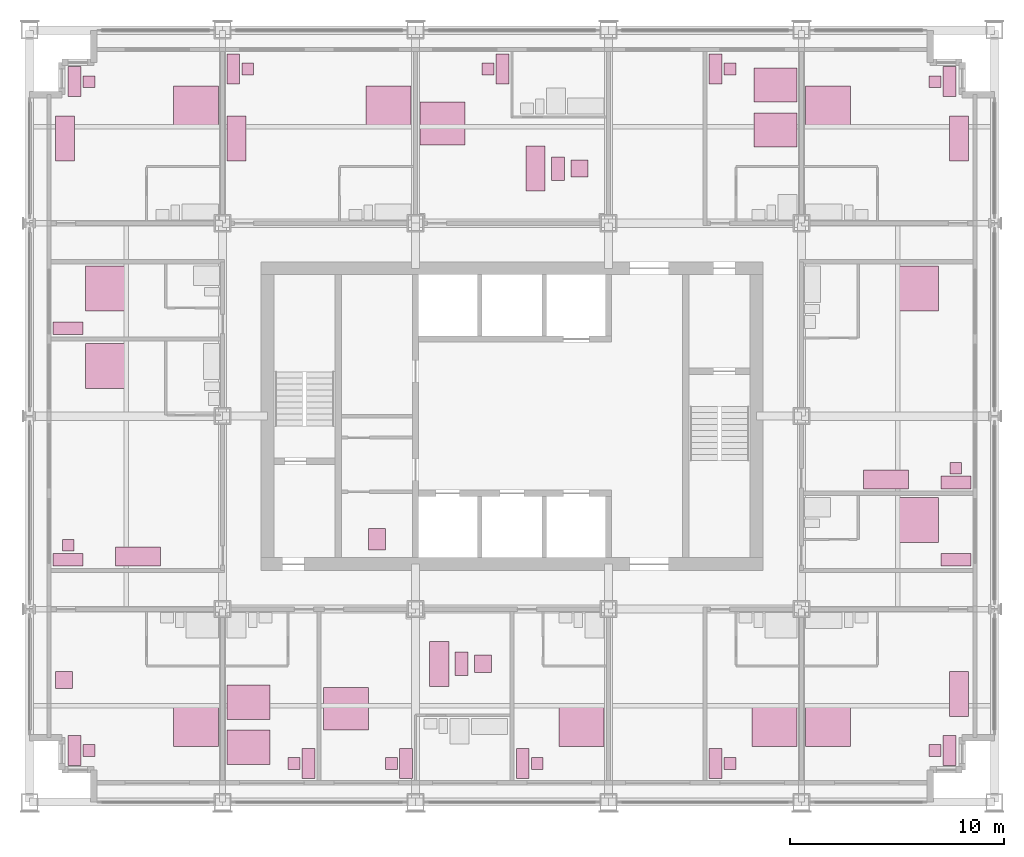
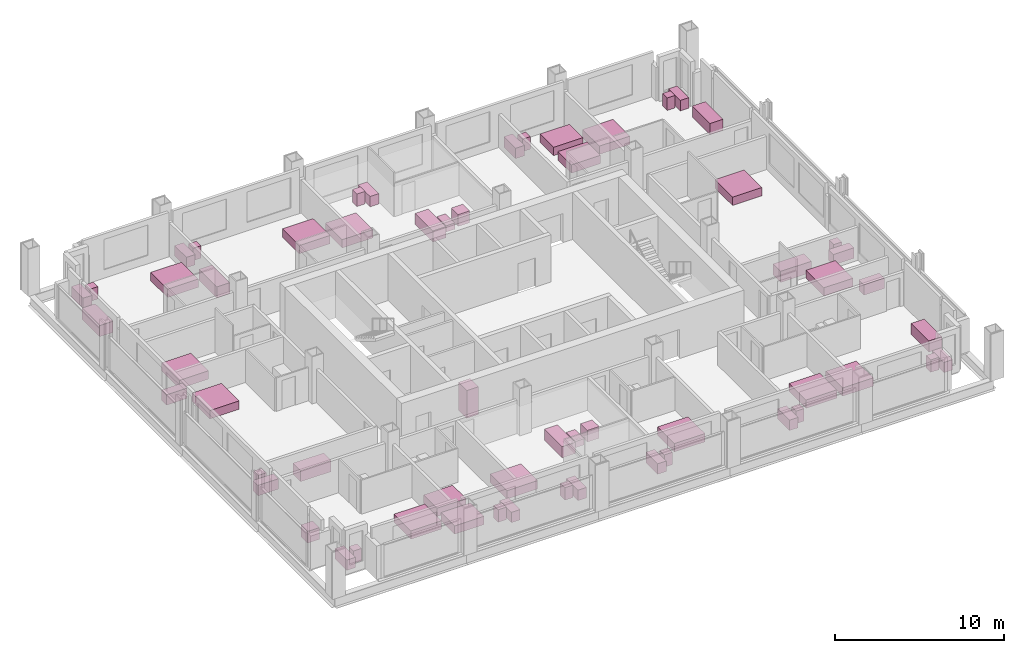
# One storey, part 16 of 16: 59 furniture elements.
"""IFC4 building model written with IfcOpenShell, lengths in metres."""

from ifc_helpers import new_model, si_unit, direction, frame, origin, origin_2d, place, context, subcontext, project, spatial, rectangle, extrude, element, save


model = new_model("IFC4")

# Units and contexts
model_context = context("Model", 3, precision=1e-05, world=origin(), true_north=direction((0.0, 1.0)))
body_context = subcontext(model_context, "Body", "Model", "MODEL_VIEW")
ifc_project = project(units=[si_unit("LENGTHUNIT", "METRE"), si_unit("AREAUNIT", "SQUARE_METRE"), si_unit("VOLUMEUNIT", "CUBIC_METRE"), si_unit("PLANEANGLEUNIT", "RADIAN"), si_unit("MASSUNIT", "GRAM", prefix="KILO")], contexts=[model_context])

# Site, building, storey
site_placement = place(None, origin())
site = spatial("IfcSite", under=ifc_project, at=site_placement, CompositionType="ELEMENT")
building_placement = place(site_placement, origin())
building = spatial("IfcBuilding", under=site, at=building_placement, Name="Loomwork Tower", CompositionType="ELEMENT")
storey_placement = place(building_placement, frame((0.0, 0.0, 124.800048828125)))
storey = spatial("IfcBuildingStorey", under=building, at=storey_placement, Name="L33", CompositionType="ELEMENT", Elevation=124.800048828125)

# Furniture
furniture_1_placement = place(storey_placement, frame((7.75, 3.60009765625, 0.0), z_axis=(0.0, 0.0, 1.0), x_axis=(1.0, 0.0, 0.0)))
element("IfcFurniture", 1, at=furniture_1_placement, inside=storey, Name="King bed L33", PredefinedType="BED", context=body_context, shape_type="SweptSolid", body=[
    extrude(rectangle(XDim=2.10009765625, YDim=2.0, at=origin_2d()), origin(), (0.0, 0.0, 1.0), 0.60009765625),
])
furniture_2_placement = place(storey_placement, frame((2.10009765625, 2.39990234375, 0.0), z_axis=(0.0, 0.0, 1.0), x_axis=(1.0, 0.0, 0.0)))
element("IfcFurniture", 2, at=furniture_2_placement, inside=storey, Name="Writing desk L33", PredefinedType="DESK", context=body_context, shape_type="SweptSolid", body=[
    extrude(rectangle(XDim=0.60009765625, YDim=1.39990234375, at=origin_2d()), origin(), (0.0, 0.0, 1.0), 0.75),
])
furniture_3_placement = place(storey_placement, frame((2.77490234375, 2.39990234375, 0.0), z_axis=(0.0, 0.0, 1.0), x_axis=(1.0, 0.0, 0.0)))
element("IfcFurniture", 3, at=furniture_3_placement, inside=storey, Name="Desk chair L33", PredefinedType="CHAIR", context=body_context, shape_type="SweptSolid", body=[
    extrude(rectangle(XDim=0.550048828125, YDim=0.550048828125, at=origin_2d()), origin(), (0.0, 0.0, 1.0), 0.89990234375),
])
furniture_4_placement = place(storey_placement, frame((1.60009765625, 5.699951171875, 0.0), z_axis=(0.0, 0.0, 1.0), x_axis=(1.0, 0.0, 0.0)))
element("IfcFurniture", 4, at=furniture_4_placement, inside=storey, Name="Lounge armchair L33", PredefinedType="CHAIR", context=body_context, shape_type="SweptSolid", body=[
    extrude(rectangle(XDim=0.800048828125, YDim=0.800048828125, at=origin_2d()), origin(), (0.0, 0.0, 1.0), 0.85009765625),
])
for number, where, z_axis, x_axis, name in (
    (5, (10.199951171875, 4.64990234375, 0.0), (0.0, 0.0, 1.0), (1.0, 0.0, 0.0), "Queen bed L33"),
    (6, (10.199951171875, 2.550048828125, 0.0), (0.0, 0.0, 1.0), (1.0, 0.0, 0.0), "Queen bed L33"),
):
    element("IfcFurniture", number, at=place(storey_placement, frame(where, z_axis=z_axis, x_axis=x_axis)), inside=storey, Name=name, PredefinedType="BED", context=body_context, shape_type="SweptSolid", body=[
        extrude(rectangle(XDim=2.0, YDim=1.60009765625, at=origin_2d()), origin(), (0.0, 0.0, 1.0), 0.60009765625),
    ])
furniture_5_placement = place(storey_placement, frame((13.0, 1.800048828125, 0.0), z_axis=(0.0, 0.0, 1.0), x_axis=(1.0, 0.0, 0.0)))
element("IfcFurniture", 7, at=furniture_5_placement, inside=storey, Name="Writing desk L33", PredefinedType="DESK", context=body_context, shape_type="SweptSolid", body=[
    extrude(rectangle(XDim=0.60009765625, YDim=1.39990234375, at=origin_2d()), origin(), (0.0, 0.0, 1.0), 0.75),
])
furniture_6_placement = place(storey_placement, frame((12.324951171875, 1.800048828125, 0.0), z_axis=(0.0, 0.0, 1.0), x_axis=(1.0, 0.0, 0.0)))
element("IfcFurniture", 8, at=furniture_6_placement, inside=storey, Name="Desk chair L33", PredefinedType="CHAIR", context=body_context, shape_type="SweptSolid", body=[
    extrude(rectangle(XDim=0.550048828125, YDim=0.550048828125, at=origin_2d()), origin(), (0.0, 0.0, 1.0), 0.89990234375),
])
furniture_7_placement = place(storey_placement, frame((14.75, 4.35009765625, 0.0), z_axis=(0.0, 0.0, 1.0), x_axis=(1.0, 0.0, 0.0)))
element("IfcFurniture", 9, at=furniture_7_placement, inside=storey, Name="King bed L33", PredefinedType="BED", context=body_context, shape_type="SweptSolid", body=[
    extrude(rectangle(XDim=2.10009765625, YDim=2.0, at=origin_2d()), origin(), (0.0, 0.0, 1.0), 0.60009765625),
])
furniture_8_placement = place(storey_placement, frame((17.550048828125, 1.800048828125, 0.0), z_axis=(0.0, 0.0, 1.0), x_axis=(1.0, 0.0, 0.0)))
element("IfcFurniture", 10, at=furniture_8_placement, inside=storey, Name="Writing desk L33", PredefinedType="DESK", context=body_context, shape_type="SweptSolid", body=[
    extrude(rectangle(XDim=0.60009765625, YDim=1.39990234375, at=origin_2d()), origin(), (0.0, 0.0, 1.0), 0.75),
])
furniture_9_placement = place(storey_placement, frame((16.875, 1.800048828125, 0.0), z_axis=(0.0, 0.0, 1.0), x_axis=(1.0, 0.0, 0.0)))
element("IfcFurniture", 11, at=furniture_9_placement, inside=storey, Name="Desk chair L33", PredefinedType="CHAIR", context=body_context, shape_type="SweptSolid", body=[
    extrude(rectangle(XDim=0.550048828125, YDim=0.550048828125, at=origin_2d()), origin(), (0.0, 0.0, 1.0), 0.89990234375),
])
furniture_10_placement = place(storey_placement, frame((19.10009765625, 6.449951171875, 0.0), z_axis=(0.0, 0.0, 1.0), x_axis=(1.0, 0.0, 0.0)))
element("IfcFurniture", 12, at=furniture_10_placement, inside=storey, Name="Sofa L33", PredefinedType="SOFA", context=body_context, shape_type="SweptSolid", body=[
    extrude(rectangle(XDim=0.89990234375, YDim=2.10009765625, at=origin_2d()), origin(), (0.0, 0.0, 1.0), 0.800048828125),
])
furniture_11_placement = place(storey_placement, frame((20.14990234375, 6.449951171875, 0.0), z_axis=(0.0, 0.0, 1.0), x_axis=(1.0, 0.0, 0.0)))
element("IfcFurniture", 13, at=furniture_11_placement, inside=storey, Name="Coffee table L33", PredefinedType="TABLE", context=body_context, shape_type="SweptSolid", body=[
    extrude(rectangle(XDim=0.60009765625, YDim=1.10009765625, at=origin_2d()), origin(), (0.0, 0.0, 1.0), 0.449951171875),
])
furniture_12_placement = place(storey_placement, frame((21.14990234375, 6.449951171875, 0.0), z_axis=(0.0, 0.0, 1.0), x_axis=(1.0, 0.0, 0.0)))
element("IfcFurniture", 14, at=furniture_12_placement, inside=storey, Name="Lounge armchair L33", PredefinedType="CHAIR", context=body_context, shape_type="SweptSolid", body=[
    extrude(rectangle(XDim=0.800048828125, YDim=0.800048828125, at=origin_2d()), origin(), (0.0, 0.0, 1.0), 0.85009765625),
])
furniture_13_placement = place(storey_placement, frame((25.75, 3.60009765625, 0.0), z_axis=(0.0, 0.0, 1.0), x_axis=(1.0, 0.0, 0.0)))
element("IfcFurniture", 15, at=furniture_13_placement, inside=storey, Name="King bed L33", PredefinedType="BED", context=body_context, shape_type="SweptSolid", body=[
    extrude(rectangle(XDim=2.10009765625, YDim=2.0, at=origin_2d()), origin(), (0.0, 0.0, 1.0), 0.60009765625),
])
furniture_14_placement = place(storey_placement, frame((23.0, 1.800048828125, 0.0), z_axis=(0.0, 0.0, 1.0), x_axis=(1.0, 0.0, 0.0)))
element("IfcFurniture", 16, at=furniture_14_placement, inside=storey, Name="Writing desk L33", PredefinedType="DESK", context=body_context, shape_type="SweptSolid", body=[
    extrude(rectangle(XDim=0.60009765625, YDim=1.39990234375, at=origin_2d()), origin(), (0.0, 0.0, 1.0), 0.75),
])
furniture_15_placement = place(storey_placement, frame((23.675048828125, 1.800048828125, 0.0), z_axis=(0.0, 0.0, 1.0), x_axis=(1.0, 0.0, 0.0)))
element("IfcFurniture", 17, at=furniture_15_placement, inside=storey, Name="Desk chair L33", PredefinedType="CHAIR", context=body_context, shape_type="SweptSolid", body=[
    extrude(rectangle(XDim=0.550048828125, YDim=0.550048828125, at=origin_2d()), origin(), (0.0, 0.0, 1.0), 0.89990234375),
])
furniture_16_placement = place(storey_placement, frame((34.75, 3.60009765625, 0.0), z_axis=(0.0, 0.0, 1.0), x_axis=(1.0, 0.0, 0.0)))
element("IfcFurniture", 18, at=furniture_16_placement, inside=storey, Name="King bed L33", PredefinedType="BED", context=body_context, shape_type="SweptSolid", body=[
    extrude(rectangle(XDim=2.10009765625, YDim=2.0, at=origin_2d()), origin(), (0.0, 0.0, 1.0), 0.60009765625),
])
furniture_17_placement = place(storey_placement, frame((32.0, 1.800048828125, 0.0), z_axis=(0.0, 0.0, 1.0), x_axis=(1.0, 0.0, 0.0)))
element("IfcFurniture", 19, at=furniture_17_placement, inside=storey, Name="Writing desk L33", PredefinedType="DESK", context=body_context, shape_type="SweptSolid", body=[
    extrude(rectangle(XDim=0.60009765625, YDim=1.39990234375, at=origin_2d()), origin(), (0.0, 0.0, 1.0), 0.75),
])
furniture_18_placement = place(storey_placement, frame((32.675048828125, 1.800048828125, 0.0), z_axis=(0.0, 0.0, 1.0), x_axis=(1.0, 0.0, 0.0)))
element("IfcFurniture", 20, at=furniture_18_placement, inside=storey, Name="Desk chair L33", PredefinedType="CHAIR", context=body_context, shape_type="SweptSolid", body=[
    extrude(rectangle(XDim=0.550048828125, YDim=0.550048828125, at=origin_2d()), origin(), (0.0, 0.0, 1.0), 0.89990234375),
])
furniture_19_placement = place(storey_placement, frame((37.25, 3.60009765625, 0.0), z_axis=(0.0, 0.0, 1.0), x_axis=(1.0, 0.0, 0.0)))
element("IfcFurniture", 21, at=furniture_19_placement, inside=storey, Name="King bed L33", PredefinedType="BED", context=body_context, shape_type="SweptSolid", body=[
    extrude(rectangle(XDim=2.10009765625, YDim=2.0, at=origin_2d()), origin(), (0.0, 0.0, 1.0), 0.60009765625),
])
furniture_20_placement = place(storey_placement, frame((42.89990234375, 2.39990234375, 0.0), z_axis=(0.0, 0.0, 1.0), x_axis=(1.0, 0.0, 0.0)))
element("IfcFurniture", 22, at=furniture_20_placement, inside=storey, Name="Writing desk L33", PredefinedType="DESK", context=body_context, shape_type="SweptSolid", body=[
    extrude(rectangle(XDim=0.60009765625, YDim=1.39990234375, at=origin_2d()), origin(), (0.0, 0.0, 1.0), 0.75),
])
furniture_21_placement = place(storey_placement, frame((42.22509765625, 2.39990234375, 0.0), z_axis=(0.0, 0.0, 1.0), x_axis=(1.0, 0.0, 0.0)))
element("IfcFurniture", 23, at=furniture_21_placement, inside=storey, Name="Desk chair L33", PredefinedType="CHAIR", context=body_context, shape_type="SweptSolid", body=[
    extrude(rectangle(XDim=0.550048828125, YDim=0.550048828125, at=origin_2d()), origin(), (0.0, 0.0, 1.0), 0.89990234375),
])
furniture_22_placement = place(storey_placement, frame((43.35009765625, 5.050048828125, 0.0), z_axis=(0.0, 0.0, 1.0), x_axis=(1.0, 0.0, 0.0)))
element("IfcFurniture", 24, at=furniture_22_placement, inside=storey, Name="Sofa L33", PredefinedType="SOFA", context=body_context, shape_type="SweptSolid", body=[
    extrude(rectangle(XDim=0.89990234375, YDim=2.10009765625, at=origin_2d()), origin(), (0.0, 0.0, 1.0), 0.800048828125),
])
furniture_23_placement = place(storey_placement, frame((7.75, 32.39990234375, 0.0), z_axis=(0.0, 0.0, 1.0), x_axis=(1.0, 0.0, 0.0)))
element("IfcFurniture", 25, at=furniture_23_placement, inside=storey, Name="King bed L33", PredefinedType="BED", context=body_context, shape_type="SweptSolid", body=[
    extrude(rectangle(XDim=2.10009765625, YDim=2.0, at=origin_2d()), origin(), (0.0, 0.0, 1.0), 0.60009765625),
])
furniture_24_placement = place(storey_placement, frame((2.10009765625, 33.60009765625, 0.0), z_axis=(0.0, 0.0, 1.0), x_axis=(1.0, 0.0, 0.0)))
element("IfcFurniture", 26, at=furniture_24_placement, inside=storey, Name="Writing desk L33", PredefinedType="DESK", context=body_context, shape_type="SweptSolid", body=[
    extrude(rectangle(XDim=0.60009765625, YDim=1.39990234375, at=origin_2d()), origin(), (0.0, 0.0, 1.0), 0.75),
])
furniture_25_placement = place(storey_placement, frame((2.77490234375, 33.60009765625, 0.0), z_axis=(0.0, 0.0, 1.0), x_axis=(1.0, 0.0, 0.0)))
element("IfcFurniture", 27, at=furniture_25_placement, inside=storey, Name="Desk chair L33", PredefinedType="CHAIR", context=body_context, shape_type="SweptSolid", body=[
    extrude(rectangle(XDim=0.550048828125, YDim=0.550048828125, at=origin_2d()), origin(), (0.0, 0.0, 1.0), 0.89990234375),
])
furniture_26_placement = place(storey_placement, frame((1.64990234375, 30.949951171875, 0.0), z_axis=(0.0, 0.0, 1.0), x_axis=(1.0, 0.0, 0.0)))
element("IfcFurniture", 28, at=furniture_26_placement, inside=storey, Name="Sofa L33", PredefinedType="SOFA", context=body_context, shape_type="SweptSolid", body=[
    extrude(rectangle(XDim=0.89990234375, YDim=2.10009765625, at=origin_2d()), origin(), (0.0, 0.0, 1.0), 0.800048828125),
])
furniture_27_placement = place(storey_placement, frame((16.75, 32.39990234375, 0.0), z_axis=(0.0, 0.0, 1.0), x_axis=(1.0, 0.0, 0.0)))
element("IfcFurniture", 29, at=furniture_27_placement, inside=storey, Name="King bed L33", PredefinedType="BED", context=body_context, shape_type="SweptSolid", body=[
    extrude(rectangle(XDim=2.10009765625, YDim=2.0, at=origin_2d()), origin(), (0.0, 0.0, 1.0), 0.60009765625),
])
furniture_28_placement = place(storey_placement, frame((9.5, 34.199951171875, 0.0), z_axis=(0.0, 0.0, 1.0), x_axis=(1.0, 0.0, 0.0)))
element("IfcFurniture", 30, at=furniture_28_placement, inside=storey, Name="Writing desk L33", PredefinedType="DESK", context=body_context, shape_type="SweptSolid", body=[
    extrude(rectangle(XDim=0.60009765625, YDim=1.39990234375, at=origin_2d()), origin(), (0.0, 0.0, 1.0), 0.75),
])
furniture_29_placement = place(storey_placement, frame((10.175048828125, 34.199951171875, 0.0), z_axis=(0.0, 0.0, 1.0), x_axis=(1.0, 0.0, 0.0)))
element("IfcFurniture", 31, at=furniture_29_placement, inside=storey, Name="Desk chair L33", PredefinedType="CHAIR", context=body_context, shape_type="SweptSolid", body=[
    extrude(rectangle(XDim=0.550048828125, YDim=0.550048828125, at=origin_2d()), origin(), (0.0, 0.0, 1.0), 0.89990234375),
])
furniture_30_placement = place(storey_placement, frame((9.64990234375, 30.949951171875, 0.0), z_axis=(0.0, 0.0, 1.0), x_axis=(1.0, 0.0, 0.0)))
element("IfcFurniture", 32, at=furniture_30_placement, inside=storey, Name="Sofa L33", PredefinedType="SOFA", context=body_context, shape_type="SweptSolid", body=[
    extrude(rectangle(XDim=0.89990234375, YDim=2.10009765625, at=origin_2d()), origin(), (0.0, 0.0, 1.0), 0.800048828125),
])
furniture_31_placement = place(storey_placement, frame((19.25, 31.64990234375, 0.0), z_axis=(0.0, 0.0, 1.0), x_axis=(1.0, 0.0, 0.0)))
element("IfcFurniture", 33, at=furniture_31_placement, inside=storey, Name="King bed L33", PredefinedType="BED", context=body_context, shape_type="SweptSolid", body=[
    extrude(rectangle(XDim=2.10009765625, YDim=2.0, at=origin_2d()), origin(), (0.0, 0.0, 1.0), 0.60009765625),
])
furniture_32_placement = place(storey_placement, frame((22.050048828125, 34.199951171875, 0.0), z_axis=(0.0, 0.0, 1.0), x_axis=(1.0, 0.0, 0.0)))
element("IfcFurniture", 34, at=furniture_32_placement, inside=storey, Name="Writing desk L33", PredefinedType="DESK", context=body_context, shape_type="SweptSolid", body=[
    extrude(rectangle(XDim=0.60009765625, YDim=1.39990234375, at=origin_2d()), origin(), (0.0, 0.0, 1.0), 0.75),
])
furniture_33_placement = place(storey_placement, frame((21.375, 34.199951171875, 0.0), z_axis=(0.0, 0.0, 1.0), x_axis=(1.0, 0.0, 0.0)))
element("IfcFurniture", 35, at=furniture_33_placement, inside=storey, Name="Desk chair L33", PredefinedType="CHAIR", context=body_context, shape_type="SweptSolid", body=[
    extrude(rectangle(XDim=0.550048828125, YDim=0.550048828125, at=origin_2d()), origin(), (0.0, 0.0, 1.0), 0.89990234375),
])
furniture_34_placement = place(storey_placement, frame((23.60009765625, 29.550048828125, 0.0), z_axis=(0.0, 0.0, 1.0), x_axis=(1.0, 0.0, 0.0)))
element("IfcFurniture", 36, at=furniture_34_placement, inside=storey, Name="Sofa L33", PredefinedType="SOFA", context=body_context, shape_type="SweptSolid", body=[
    extrude(rectangle(XDim=0.89990234375, YDim=2.10009765625, at=origin_2d()), origin(), (0.0, 0.0, 1.0), 0.800048828125),
])
furniture_35_placement = place(storey_placement, frame((24.64990234375, 29.550048828125, 0.0), z_axis=(0.0, 0.0, 1.0), x_axis=(1.0, 0.0, 0.0)))
element("IfcFurniture", 37, at=furniture_35_placement, inside=storey, Name="Coffee table L33", PredefinedType="TABLE", context=body_context, shape_type="SweptSolid", body=[
    extrude(rectangle(XDim=0.60009765625, YDim=1.10009765625, at=origin_2d()), origin(), (0.0, 0.0, 1.0), 0.449951171875),
])
furniture_36_placement = place(storey_placement, frame((25.64990234375, 29.550048828125, 0.0), z_axis=(0.0, 0.0, 1.0), x_axis=(1.0, 0.0, 0.0)))
element("IfcFurniture", 38, at=furniture_36_placement, inside=storey, Name="Lounge armchair L33", PredefinedType="CHAIR", context=body_context, shape_type="SweptSolid", body=[
    extrude(rectangle(XDim=0.800048828125, YDim=0.800048828125, at=origin_2d()), origin(), (0.0, 0.0, 1.0), 0.85009765625),
])
for number, where, z_axis, x_axis, name in (
    (39, (34.800048828125, 31.35009765625, 0.0), (0.0, 0.0, 1.0), (1.0, 0.0, 0.0), "Queen bed L33"),
    (40, (34.800048828125, 33.449951171875, 0.0), (0.0, 0.0, 1.0), (1.0, 0.0, 0.0), "Queen bed L33"),
):
    element("IfcFurniture", number, at=place(storey_placement, frame(where, z_axis=z_axis, x_axis=x_axis)), inside=storey, Name=name, PredefinedType="BED", context=body_context, shape_type="SweptSolid", body=[
        extrude(rectangle(XDim=2.0, YDim=1.60009765625, at=origin_2d()), origin(), (0.0, 0.0, 1.0), 0.60009765625),
    ])
furniture_37_placement = place(storey_placement, frame((32.0, 34.199951171875, 0.0), z_axis=(0.0, 0.0, 1.0), x_axis=(1.0, 0.0, 0.0)))
element("IfcFurniture", 41, at=furniture_37_placement, inside=storey, Name="Writing desk L33", PredefinedType="DESK", context=body_context, shape_type="SweptSolid", body=[
    extrude(rectangle(XDim=0.60009765625, YDim=1.39990234375, at=origin_2d()), origin(), (0.0, 0.0, 1.0), 0.75),
])
furniture_38_placement = place(storey_placement, frame((32.675048828125, 34.199951171875, 0.0), z_axis=(0.0, 0.0, 1.0), x_axis=(1.0, 0.0, 0.0)))
element("IfcFurniture", 42, at=furniture_38_placement, inside=storey, Name="Desk chair L33", PredefinedType="CHAIR", context=body_context, shape_type="SweptSolid", body=[
    extrude(rectangle(XDim=0.550048828125, YDim=0.550048828125, at=origin_2d()), origin(), (0.0, 0.0, 1.0), 0.89990234375),
])
furniture_39_placement = place(storey_placement, frame((37.25, 32.39990234375, 0.0), z_axis=(0.0, 0.0, 1.0), x_axis=(1.0, 0.0, 0.0)))
element("IfcFurniture", 43, at=furniture_39_placement, inside=storey, Name="King bed L33", PredefinedType="BED", context=body_context, shape_type="SweptSolid", body=[
    extrude(rectangle(XDim=2.10009765625, YDim=2.0, at=origin_2d()), origin(), (0.0, 0.0, 1.0), 0.60009765625),
])
furniture_40_placement = place(storey_placement, frame((42.89990234375, 33.60009765625, 0.0), z_axis=(0.0, 0.0, 1.0), x_axis=(1.0, 0.0, 0.0)))
element("IfcFurniture", 44, at=furniture_40_placement, inside=storey, Name="Writing desk L33", PredefinedType="DESK", context=body_context, shape_type="SweptSolid", body=[
    extrude(rectangle(XDim=0.60009765625, YDim=1.39990234375, at=origin_2d()), origin(), (0.0, 0.0, 1.0), 0.75),
])
furniture_41_placement = place(storey_placement, frame((42.22509765625, 33.60009765625, 0.0), z_axis=(0.0, 0.0, 1.0), x_axis=(1.0, 0.0, 0.0)))
element("IfcFurniture", 45, at=furniture_41_placement, inside=storey, Name="Desk chair L33", PredefinedType="CHAIR", context=body_context, shape_type="SweptSolid", body=[
    extrude(rectangle(XDim=0.550048828125, YDim=0.550048828125, at=origin_2d()), origin(), (0.0, 0.0, 1.0), 0.89990234375),
])
furniture_42_placement = place(storey_placement, frame((43.35009765625, 30.949951171875, 0.0), z_axis=(0.0, 0.0, 1.0), x_axis=(1.0, 0.0, 0.0)))
element("IfcFurniture", 46, at=furniture_42_placement, inside=storey, Name="Sofa L33", PredefinedType="SOFA", context=body_context, shape_type="SweptSolid", body=[
    extrude(rectangle(XDim=0.89990234375, YDim=2.10009765625, at=origin_2d()), origin(), (0.0, 0.0, 1.0), 0.800048828125),
])
furniture_43_placement = place(storey_placement, frame((3.60009765625, 20.35009765625, 0.0), z_axis=(0.0, 0.0, 1.0), x_axis=(1.0, 0.0, 0.0)))
element("IfcFurniture", 47, at=furniture_43_placement, inside=storey, Name="King bed L33", PredefinedType="BED", context=body_context, shape_type="SweptSolid", body=[
    extrude(rectangle(XDim=2.0, YDim=2.10009765625, at=origin_2d()), origin(), (0.0, 0.0, 1.0), 0.60009765625),
])
furniture_44_placement = place(storey_placement, frame((1.800048828125, 11.300048828125, 0.0), z_axis=(0.0, 0.0, 1.0), x_axis=(1.0, 0.0, 0.0)))
element("IfcFurniture", 48, at=furniture_44_placement, inside=storey, Name="Writing desk L33", PredefinedType="DESK", context=body_context, shape_type="SweptSolid", body=[
    extrude(rectangle(XDim=1.39990234375, YDim=0.60009765625, at=origin_2d()), origin(), (0.0, 0.0, 1.0), 0.75),
])
furniture_45_placement = place(storey_placement, frame((1.800048828125, 11.97509765625, 0.0), z_axis=(0.0, 0.0, 1.0), x_axis=(1.0, 0.0, 0.0)))
element("IfcFurniture", 49, at=furniture_45_placement, inside=storey, Name="Desk chair L33", PredefinedType="CHAIR", context=body_context, shape_type="SweptSolid", body=[
    extrude(rectangle(XDim=0.550048828125, YDim=0.550048828125, at=origin_2d()), origin(), (0.0, 0.0, 1.0), 0.89990234375),
])
furniture_46_placement = place(storey_placement, frame((5.050048828125, 11.449951171875, 0.0), z_axis=(0.0, 0.0, 1.0), x_axis=(1.0, 0.0, 0.0)))
element("IfcFurniture", 50, at=furniture_46_placement, inside=storey, Name="Sofa L33", PredefinedType="SOFA", context=body_context, shape_type="SweptSolid", body=[
    extrude(rectangle(XDim=2.10009765625, YDim=0.89990234375, at=origin_2d()), origin(), (0.0, 0.0, 1.0), 0.800048828125),
])
furniture_47_placement = place(storey_placement, frame((3.60009765625, 23.949951171875, 0.0), z_axis=(0.0, 0.0, 1.0), x_axis=(1.0, 0.0, 0.0)))
element("IfcFurniture", 51, at=furniture_47_placement, inside=storey, Name="King bed L33", PredefinedType="BED", context=body_context, shape_type="SweptSolid", body=[
    extrude(rectangle(XDim=2.0, YDim=2.10009765625, at=origin_2d()), origin(), (0.0, 0.0, 1.0), 0.60009765625),
])
furniture_48_placement = place(storey_placement, frame((1.800048828125, 22.10009765625, 0.0), z_axis=(0.0, 0.0, 1.0), x_axis=(1.0, 0.0, 0.0)))
element("IfcFurniture", 52, at=furniture_48_placement, inside=storey, Name="Writing desk L33", PredefinedType="DESK", context=body_context, shape_type="SweptSolid", body=[
    extrude(rectangle(XDim=1.39990234375, YDim=0.60009765625, at=origin_2d()), origin(), (0.0, 0.0, 1.0), 0.75),
])
furniture_49_placement = place(storey_placement, frame((41.39990234375, 13.14990234375, 0.0), z_axis=(0.0, 0.0, 1.0), x_axis=(1.0, 0.0, 0.0)))
element("IfcFurniture", 53, at=furniture_49_placement, inside=storey, Name="King bed L33", PredefinedType="BED", context=body_context, shape_type="SweptSolid", body=[
    extrude(rectangle(XDim=2.0, YDim=2.10009765625, at=origin_2d()), origin(), (0.0, 0.0, 1.0), 0.60009765625),
])
furniture_50_placement = place(storey_placement, frame((43.199951171875, 11.300048828125, 0.0), z_axis=(0.0, 0.0, 1.0), x_axis=(1.0, 0.0, 0.0)))
element("IfcFurniture", 54, at=furniture_50_placement, inside=storey, Name="Writing desk L33", PredefinedType="DESK", context=body_context, shape_type="SweptSolid", body=[
    extrude(rectangle(XDim=1.39990234375, YDim=0.60009765625, at=origin_2d()), origin(), (0.0, 0.0, 1.0), 0.75),
])
furniture_51_placement = place(storey_placement, frame((41.39990234375, 23.949951171875, 0.0), z_axis=(0.0, 0.0, 1.0), x_axis=(1.0, 0.0, 0.0)))
element("IfcFurniture", 55, at=furniture_51_placement, inside=storey, Name="King bed L33", PredefinedType="BED", context=body_context, shape_type="SweptSolid", body=[
    extrude(rectangle(XDim=2.0, YDim=2.10009765625, at=origin_2d()), origin(), (0.0, 0.0, 1.0), 0.60009765625),
])
furniture_52_placement = place(storey_placement, frame((43.199951171875, 14.89990234375, 0.0), z_axis=(0.0, 0.0, 1.0), x_axis=(1.0, 0.0, 0.0)))
element("IfcFurniture", 56, at=furniture_52_placement, inside=storey, Name="Writing desk L33", PredefinedType="DESK", context=body_context, shape_type="SweptSolid", body=[
    extrude(rectangle(XDim=1.39990234375, YDim=0.60009765625, at=origin_2d()), origin(), (0.0, 0.0, 1.0), 0.75),
])
furniture_53_placement = place(storey_placement, frame((43.199951171875, 15.574951171875, 0.0), z_axis=(0.0, 0.0, 1.0), x_axis=(1.0, 0.0, 0.0)))
element("IfcFurniture", 57, at=furniture_53_placement, inside=storey, Name="Desk chair L33", PredefinedType="CHAIR", context=body_context, shape_type="SweptSolid", body=[
    extrude(rectangle(XDim=0.550048828125, YDim=0.550048828125, at=origin_2d()), origin(), (0.0, 0.0, 1.0), 0.89990234375),
])
furniture_54_placement = place(storey_placement, frame((39.949951171875, 15.050048828125, 0.0), z_axis=(0.0, 0.0, 1.0), x_axis=(1.0, 0.0, 0.0)))
element("IfcFurniture", 58, at=furniture_54_placement, inside=storey, Name="Sofa L33", PredefinedType="SOFA", context=body_context, shape_type="SweptSolid", body=[
    extrude(rectangle(XDim=2.10009765625, YDim=0.89990234375, at=origin_2d()), origin(), (0.0, 0.0, 1.0), 0.800048828125),
])
furniture_55_placement = place(storey_placement, frame((16.199951171875, 12.25, 0.0), z_axis=(0.0, 0.0, 1.0), x_axis=(1.0, 0.0, 0.0)))
element("IfcFurniture", 59, at=furniture_55_placement, inside=storey, Name="Data cabinet L33", ObjectType="DATA CABINET", PredefinedType="USERDEFINED", context=body_context, shape_type="SweptSolid", body=[
    extrude(rectangle(XDim=0.800048828125, YDim=1.0, at=origin_2d()), origin(), (0.0, 0.0, 1.0), 2.0),
])

save(model, "model.ifc")
